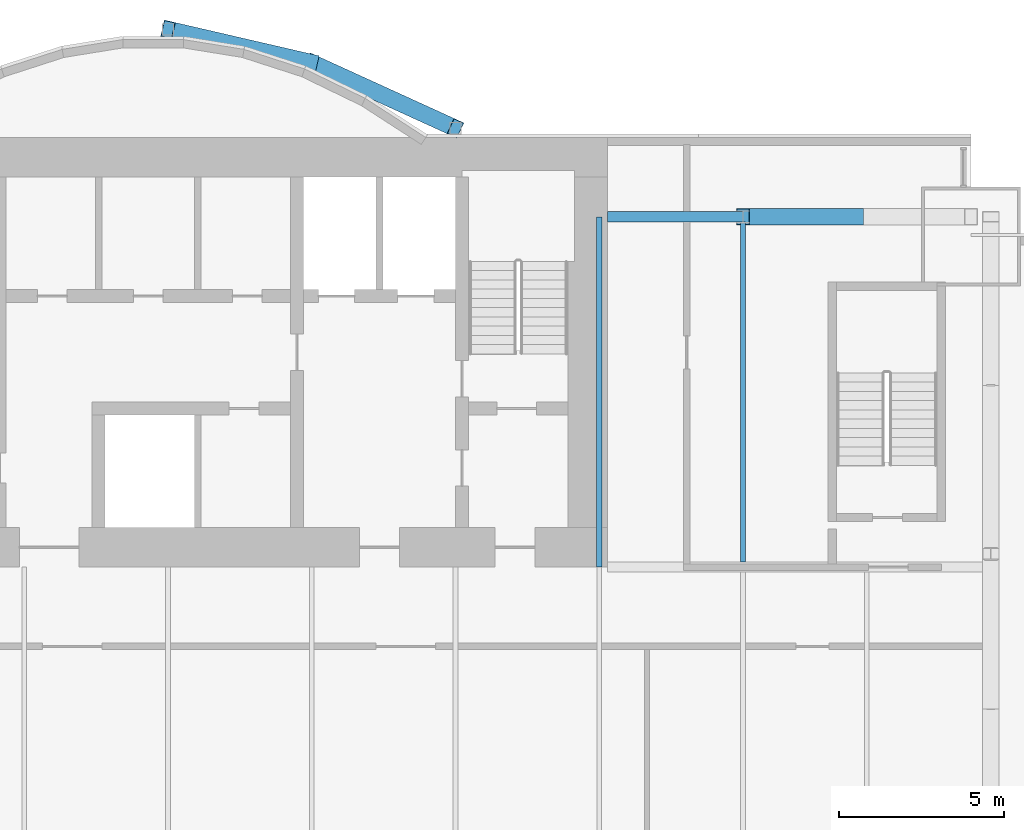
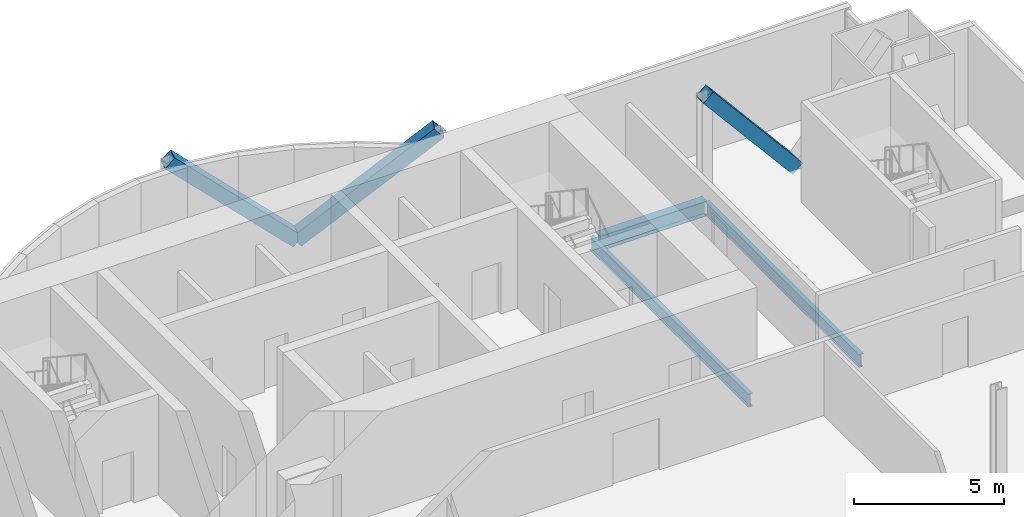
# One storey, part 11 of 21: 3 beams, 3 members.
"""IFC4 building model written with IfcOpenShell, lengths in metres."""

from ifc_helpers import new_model, si_unit, direction, frame, origin, origin_2d, place, context, subcontext, project, spatial, hollow_rectangle, i_section, extrude, material, material_profile, profile_set, type_object, element, save


model = new_model("IFC4")

# Units and contexts
model_context = context("Model", 3, precision=1e-05, world=origin(), true_north=direction((0.0, 1.0)))
body_context = subcontext(model_context, "Body", "Model", "MODEL_VIEW")
ifc_project = project(units=[si_unit("LENGTHUNIT", "METRE"), si_unit("AREAUNIT", "SQUARE_METRE"), si_unit("VOLUMEUNIT", "CUBIC_METRE"), si_unit("PLANEANGLEUNIT", "RADIAN"), si_unit("MASSUNIT", "GRAM", prefix="KILO")], contexts=[model_context])

# Site, building, storey
site_placement = place(None, origin())
site = spatial("IfcSite", under=ifc_project, at=site_placement, CompositionType="ELEMENT")
building_placement = place(site_placement, origin())
building = spatial("IfcBuilding", under=site, at=building_placement, Name="Bicima Exchange Tower", CompositionType="ELEMENT")
storey_placement = place(building_placement, frame((0.0, 0.0, 114.5)))
storey = spatial("IfcBuildingStorey", under=building, at=storey_placement, Name="L24", CompositionType="ELEMENT", Elevation=114.5)

# Beams
ifc_material_1 = material(Name="Steel ASTM A992 Gr 50", Category="steel")
ifc_material_profile_1 = material_profile(ifc_material_1, i_section(OverallWidth=0.165771484375, OverallDepth=0.5283203125, WebThickness=0.009765625, FlangeThickness=0.013671875, at=origin_2d()))
ifc_profile_set_1 = profile_set([ifc_material_profile_1], Name="Steel ASTM A992 Gr 50")
beam_type_1 = type_object("IfcBeamType", Name="Floor beam W21x50", PredefinedType="JOIST", material=ifc_profile_set_1)
beam_1_placement = place(storey_placement, frame((21.75, -2.39990234375, -0.414306640625), z_axis=(0.0, -1.0, 0.0), x_axis=(1.0, 0.0, 0.0)))
element("IfcBeam", 1, at=beam_1_placement, inside=storey, type_object=beam_type_1, Name="Floor beam", PredefinedType="JOIST", context=body_context, shape_type="SweptSolid", body=[
    extrude(i_section(OverallWidth=0.165771484375, OverallDepth=0.5283203125, WebThickness=0.009765625, FlangeThickness=0.013671875, at=origin_2d()), origin(), (0.0, 0.0, 1.0), 10.60009765625),
])
beam_2_placement = place(storey_placement, frame((26.10009765625, -2.5625, -0.414306640625), z_axis=(0.0, -1.0, 0.0), x_axis=(1.0, 0.0, 0.0)))
element("IfcBeam", 2, at=beam_2_placement, inside=storey, type_object=beam_type_1, Name="Floor beam", PredefinedType="JOIST", context=body_context, shape_type="SweptSolid", body=[
    extrude(i_section(OverallWidth=0.165771484375, OverallDepth=0.5283203125, WebThickness=0.009765625, FlangeThickness=0.013671875, at=origin_2d()), origin(), (0.0, 0.0, 1.0), 10.28515625),
])

# Members
ifc_material_2 = material(Name="Steel ASTM A572 Gr 50", Category="steel")
ifc_material_profile_2 = material_profile(ifc_material_2, hollow_rectangle(XDim=0.508056640625, YDim=0.508056640625, WallThickness=0.0146484375, at=origin_2d()))
ifc_profile_set_2 = profile_set([ifc_material_profile_2], Name="Steel ASTM A572 Gr 50")
member_type = type_object("IfcMemberType", Name="Mega brace HSS20x20x5/8", PredefinedType="BRACE", material=ifc_profile_set_2)
member_1_placement = place(storey_placement, frame((13.050048828125, 2.262451171875, 0.0), z_axis=(0.690628963585, -0.315060460011, 0.650975069565), x_axis=(0.415045223819, 0.909800781592, 0.0)))
element("IfcMember", 3, at=member_1_placement, inside=storey, type_object=member_type, Name="Mega brace rexo", PredefinedType="BRACE", context=body_context, shape_type="SweptSolid", body=[
    extrude(hollow_rectangle(XDim=0.508056640625, YDim=0.508056640625, WallThickness=0.0146484375, at=origin_2d()), origin(), (0.0, 0.0, 1.0), 6.29833984375),
])
member_2_placement = place(storey_placement, frame((13.050048828125, 2.262451171875, 0.0), z_axis=(-0.717605620354, 0.166050509188, 0.676364843878), x_axis=(-0.225438503722, -0.974257399787, 0.0)))
element("IfcMember", 4, at=member_2_placement, inside=storey, type_object=member_type, Name="Mega brace rexo", PredefinedType="BRACE", context=body_context, shape_type="SweptSolid", body=[
    extrude(hollow_rectangle(XDim=0.508056640625, YDim=0.508056640625, WallThickness=0.0146484375, at=origin_2d()), origin(), (0.0, 0.0, 1.0), 6.06201171875),
])
member_3_placement = place(storey_placement, frame((29.550048828125, -2.39990234375, 0.0), z_axis=(-0.643834042494, 0.0, 0.765165162384), x_axis=(0.0, -1.0, 0.0)))
element("IfcMember", 5, at=member_3_placement, inside=storey, type_object=member_type, Name="Mega brace rear", PredefinedType="BRACE", context=body_context, shape_type="SweptSolid", body=[
    extrude(hollow_rectangle(XDim=0.508056640625, YDim=0.508056640625, WallThickness=0.0146484375, at=origin_2d()), origin(), (0.0, 0.0, 1.0), 5.3583984375),
])

# Beam
ifc_material_profile_3 = material_profile(ifc_material_1, i_section(OverallWidth=0.3251953125, OverallDepth=0.612060546875, WebThickness=0.0126953125, FlangeThickness=0.01904296875, at=origin_2d()))
ifc_profile_set_3 = profile_set([ifc_material_profile_3], Name="Steel ASTM A992 Gr 50")
beam_type_2 = type_object("IfcBeamType", Name="Rear girder W24x104", PredefinedType="BEAM", material=ifc_profile_set_3)
beam_3_placement = place(storey_placement, frame((22.0, -2.39990234375, -0.4560546875), z_axis=(1.0, 0.0, 0.0), x_axis=(0.0, 1.0, 0.0)))
element("IfcBeam", 6, at=beam_3_placement, inside=storey, type_object=beam_type_2, Name="Rear girder", PredefinedType="BEAM", context=body_context, shape_type="SweptSolid", body=[
    extrude(i_section(OverallWidth=0.3251953125, OverallDepth=0.612060546875, WebThickness=0.0126953125, FlangeThickness=0.01904296875, at=origin_2d()), origin(), (0.0, 0.0, 1.0), 4.10009765625),
])

save(model, "model.ifc")
